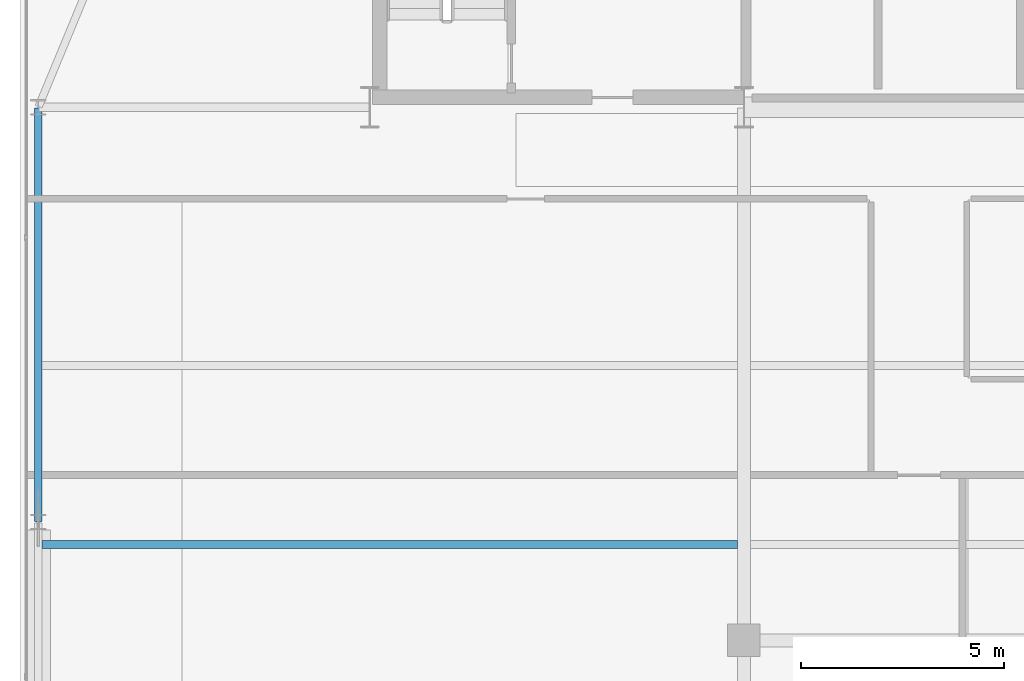
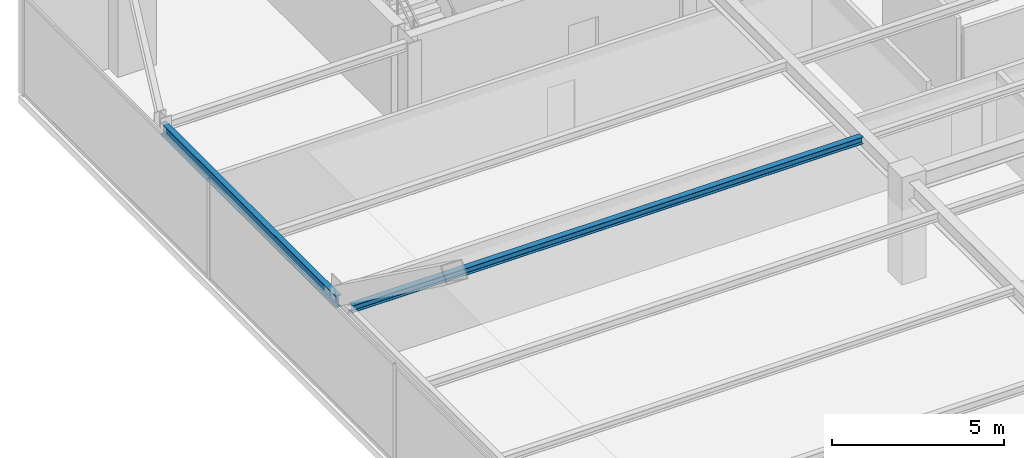
# One storey, part 11 of 32: 2 beams.
"""IFC4 building model written with IfcOpenShell, lengths in metres."""

import ifcopenshell
import ifcopenshell.guid

model = None  # the IFC model being written
_history = None  # IfcOwnerHistory: only IFC2X3 demands one
_inside = {}  # id of a spatial element -> (the spatial element, [elements in it])
_under = {}  # id of a project, library or spatial element -> (it, [spatial elements below it])
_declared = {}  # id of a project -> (the project, [libraries it declares])
_typed = {}  # id of a type object -> (the type object, [elements of that type])
_made_of = {}  # id of a material, layer set ... -> (it, [elements and type objects made of it])


def new_model(schema):
    """Start an empty IFC model of exactly this schema.

    Asked for "IFC4X3", IfcOpenShell would pick the latest addendum, in which some entities
    have other attributes; the version numbers below select the first issue.
    IFC2X3 requires an IfcOwnerHistory on every rooted entity: one is made here for all.
    """
    global model, _history
    if schema == "IFC4X3":
        model = ifcopenshell.file(schema_version=(4, 3, 0, 0))
    else:
        model = ifcopenshell.file(schema=schema)
    _inside.clear()
    _under.clear()
    _declared.clear()
    _typed.clear()
    _made_of.clear()
    _history = None
    if model.schema == "IFC2X3":
        org = make("IfcOrganization", Name="unknown")
        user = make(
            "IfcPersonAndOrganization",
            ThePerson=make("IfcPerson", FamilyName="unknown"),
            TheOrganization=org,
        )
        app = make(
            "IfcApplication",
            ApplicationDeveloper=org,
            Version="unknown",
            ApplicationFullName="unknown",
            ApplicationIdentifier="unknown",
        )
        _history = make(
            "IfcOwnerHistory",
            OwningUser=user,
            OwningApplication=app,
            ChangeAction="ADDED",
            CreationDate=0,
        )
    return model


def make(cls, **values):
    """One entity of the class cls with the attributes given. An attribute that is None is left unset."""
    return model.create_entity(
        cls, **{name: value for name, value in values.items() if value is not None}
    )


def rooted(cls, **values):
    """An entity with a GlobalId (a new one), such as an element, a storey or a relation."""
    return make(cls, GlobalId=ifcopenshell.guid.new(), OwnerHistory=_history, **values)


def si_unit(unit_type, name, prefix=None):
    """IfcSIUnit, for example si_unit("LENGTHUNIT", "METRE", prefix="MILLI")."""
    return make("IfcSIUnit", UnitType=unit_type, Prefix=prefix, Name=name)


def assignment(units):
    """IfcUnitAssignment: the units of a project."""
    return None if units is None else make("IfcUnitAssignment", Units=units)


def point(xyz):
    """IfcCartesianPoint."""
    return None if xyz is None else make("IfcCartesianPoint", Coordinates=xyz)


def direction(xyz):
    """IfcDirection."""
    return None if xyz is None else make("IfcDirection", DirectionRatios=xyz)


def frame(location, z_axis=None, x_axis=None):
    """IfcAxis2Placement3D, a coordinate frame: its origin and axes. An axis left out is left unset."""
    return make(
        "IfcAxis2Placement3D",
        Location=point(location),
        Axis=direction(z_axis),
        RefDirection=direction(x_axis),
    )


def frame_2d(location, x_axis=None):
    """IfcAxis2Placement2D, a coordinate frame in the plane: its origin and x axis."""
    return make(
        "IfcAxis2Placement2D", Location=point(location), RefDirection=direction(x_axis)
    )


def origin():
    """The frame at (0, 0, 0) with its axes left unset."""
    return frame((0.0, 0.0, 0.0))


def origin_2d():
    """The frame at (0, 0) in the plane with its x axis left unset."""
    return frame_2d((0.0, 0.0))


def place(relative_to, where):
    """IfcLocalPlacement: puts the frame where relative to a parent placement (None: the world)."""
    return make(
        "IfcLocalPlacement", PlacementRelTo=relative_to, RelativePlacement=where
    )


def context(
    kind, dimensions, precision=None, world=None, true_north=None, identifier=None
):
    """IfcGeometricRepresentationContext, for example the 3D "Model" context."""
    return make(
        "IfcGeometricRepresentationContext",
        ContextIdentifier=identifier,
        ContextType=kind,
        CoordinateSpaceDimension=dimensions,
        Precision=precision,
        WorldCoordinateSystem=world,
        TrueNorth=true_north,
    )


def subcontext(parent, identifier, kind, view, scale=None):
    """IfcGeometricRepresentationSubContext, for example "Body" below "Model"."""
    return make(
        "IfcGeometricRepresentationSubContext",
        ContextIdentifier=identifier,
        ContextType=kind,
        ParentContext=parent,
        TargetScale=scale,
        TargetView=view,
    )


def project(units=None, contexts=None):
    """IfcProject with its units and contexts."""
    return rooted(
        "IfcProject",
        Name="project",
        RepresentationContexts=contexts,
        UnitsInContext=assignment(units),
    )


def spatial(cls, under=None, at=None, **own):
    """A site, building, storey or space (cls), placed at a placement, below another one or the project."""
    s = rooted(cls, ObjectPlacement=at, **own)
    if under is not None:
        _under.setdefault(under.id(), (under, []))[1].append(s)
    return s


def profile(cls, at=None, kind="AREA", **sizes):
    """A parametric profile (cls). Its sizes go by their IFC names, for example OverallWidth=200.0."""
    return make(cls, ProfileType=kind, Position=at, **sizes)


def i_section(**sizes):
    """IfcIShapeProfileDef."""
    return profile("IfcIShapeProfileDef", **sizes)


def extrude(swept, where, along, depth):
    """IfcExtrudedAreaSolid: the profile swept, set in the frame where, extruded along a direction by depth."""
    return make(
        "IfcExtrudedAreaSolid",
        SweptArea=swept,
        Position=where,
        ExtrudedDirection=direction(along),
        Depth=depth,
    )


def shape(context_of_items, identifier, shape_type, items):
    """IfcShapeRepresentation: the items that make up one representation, for example the "Body"."""
    return make(
        "IfcShapeRepresentation",
        ContextOfItems=context_of_items,
        RepresentationIdentifier=identifier,
        RepresentationType=shape_type,
        Items=items,
    )


def source(mapping_origin, context_of_items, identifier, shape_type, items):
    """IfcRepresentationMap: a shape defined once, which mapped items show again and again."""
    return make(
        "IfcRepresentationMap",
        MappingOrigin=mapping_origin,
        MappedRepresentation=shape(context_of_items, identifier, shape_type, items),
    )


def transform(
    local_origin,
    x_axis=None,
    y_axis=None,
    z_axis=None,
    scale=None,
    scale2=None,
    scale3=None,
    uniform=True,
):
    """IfcCartesianTransformationOperator3D, or its non-uniform kind. x_axis, y_axis, z_axis: its Axis1, 2, 3."""
    if uniform:
        return make(
            "IfcCartesianTransformationOperator3D",
            Axis1=direction(x_axis),
            Axis2=direction(y_axis),
            LocalOrigin=point(local_origin),
            Scale=scale,
            Axis3=direction(z_axis),
        )
    return make(
        "IfcCartesianTransformationOperator3DnonUniform",
        Axis1=direction(x_axis),
        Axis2=direction(y_axis),
        LocalOrigin=point(local_origin),
        Scale=scale,
        Axis3=direction(z_axis),
        Scale2=scale2,
        Scale3=scale3,
    )


def mapped(mapping_source, mapping_target):
    """IfcMappedItem: shows the shape of a source again, moved by a transform."""
    return make(
        "IfcMappedItem", MappingSource=mapping_source, MappingTarget=mapping_target
    )


def material(Name=None, Category=None):
    """IfcMaterial."""
    return make("IfcMaterial", Name=Name, Category=Category)


def material_profile(
    of_material, cross_section, Name=None, Category=None, Priority=None
):
    """IfcMaterialProfile: a cross section and its material."""
    return make(
        "IfcMaterialProfile",
        Name=Name,
        Material=of_material,
        Profile=cross_section,
        Priority=Priority,
        Category=Category,
    )


def profile_set(profiles, Name=None, composite=None):
    """IfcMaterialProfileSet."""
    return make(
        "IfcMaterialProfileSet",
        Name=Name,
        MaterialProfiles=profiles,
        CompositeProfile=composite,
    )


def made_of(thing, what):
    """Note that an element or type object is made of a material, layer set ...; save() writes the relation."""
    if what is not None:
        _made_of.setdefault(what.id(), (what, []))[1].append(thing)
    return thing


def type_object(cls, material=None, **own):
    """A type object (cls), such as IfcWallType, which elements share."""
    return made_of(rooted(cls, **own), material)


def type_shapes(of_type, sources):
    """Give a type object the sources (RepresentationMaps) that its elements show as mapped items."""
    of_type.RepresentationMaps = sources


def element(
    cls,
    number,
    at=None,
    inside=None,
    cuts=None,
    type_object=None,
    material=None,
    context=None,
    identifier="Body",
    shape_type=None,
    held_by="IfcProductDefinitionShape",
    body=None,
    shapes=None,
    **own,
):
    """One element of the class cls, such as IfcWall. Its Tag is "e" and its number.

    at: its placement. inside: the storey or other place that contains it. cuts: it is an
    opening in that element (IfcRelVoidsElement). A single representation is given by context,
    identifier, shape_type and body (its items); several are given by shapes. held_by: the class
    of the entity that holds the representations. save() writes the other relations.
    """
    e = rooted(cls, Tag="e%d" % number, ObjectPlacement=at, **own)
    if body is not None:
        shapes = [shape(context, identifier, shape_type, body)]
    if shapes is not None:
        e.Representation = make(held_by, Representations=shapes)
    if inside is not None:
        _inside.setdefault(inside.id(), (inside, []))[1].append(e)
    if cuts is not None:
        rooted(
            "IfcRelVoidsElement", RelatingBuildingElement=cuts, RelatedOpeningElement=e
        )
    if type_object is not None:
        _typed.setdefault(type_object.id(), (type_object, []))[1].append(e)
    return made_of(e, material)


def aggregate(whole, parts):
    """IfcRelAggregates: a whole, such as a stair, and the parts it consists of."""
    return rooted("IfcRelAggregates", RelatingObject=whole, RelatedObjects=parts)


def save(model, path):
    """Write the relations noted so far, then the file.

    IfcRelAggregates (storeys below a building ...), IfcRelContainedInSpatialStructure (elements
    in a storey), IfcRelDefinesByType, IfcRelAssociatesMaterial and IfcRelDeclares: one each for
    every whole, place, type object, material and project.
    """
    for whole, parts in _under.values():
        aggregate(whole, parts)
    for where, things in _inside.values():
        rooted(
            "IfcRelContainedInSpatialStructure",
            RelatedElements=things,
            RelatingStructure=where,
        )
    for kind, things in _typed.values():
        rooted("IfcRelDefinesByType", RelatedObjects=things, RelatingType=kind)
    for what, things in _made_of.values():
        rooted("IfcRelAssociatesMaterial", RelatedObjects=things, RelatingMaterial=what)
    for by, libraries in _declared.values():
        rooted("IfcRelDeclares", RelatingContext=by, RelatedDefinitions=libraries)
    model.write(path)


model = new_model("IFC4")

# Units and contexts
model_context = context("Model", 3, precision=1e-05, world=origin(), true_north=direction((0.0, 1.0)))
body_context = subcontext(model_context, "Body", "Model", "MODEL_VIEW")
ifc_project = project(units=[si_unit("LENGTHUNIT", "METRE"), si_unit("AREAUNIT", "SQUARE_METRE"), si_unit("VOLUMEUNIT", "CUBIC_METRE"), si_unit("PLANEANGLEUNIT", "RADIAN"), si_unit("MASSUNIT", "GRAM", prefix="KILO")], contexts=[model_context])

# Site, building, storey
site_placement = place(None, origin())
site = spatial("IfcSite", under=ifc_project, at=site_placement, CompositionType="ELEMENT")
building_placement = place(site_placement, origin())
building = spatial("IfcBuilding", under=site, at=building_placement, Name="Varnel Quay Broadcast Tower", CompositionType="ELEMENT")
storey_placement = place(building_placement, frame((0.0, 0.0, 164.800048828125)))
storey = spatial("IfcBuildingStorey", under=building, at=storey_placement, Name="L40", CompositionType="ELEMENT", Elevation=164.800048828125)

# Beams
ifc_material = material(Name="Structural Steel CSA G40.21 350W", Category="steel")
ifc_material_profile_1 = material_profile(ifc_material, i_section(OverallWidth=0.180908203125, OverallDepth=0.4169921875, WebThickness=0.010986328125, FlangeThickness=0.018310546875, FilletRadius=0.011962890625, at=origin_2d()), Name="W410X85")
ifc_profile_set_1 = profile_set([ifc_material_profile_1], Name="Structural Steel CSA G40.21 350W")
beam_type_1 = type_object("IfcBeamType", Name="Beam_W410X85", PredefinedType="SPANDREL", material=ifc_profile_set_1)
shared_shape_1 = source(origin(), body_context, "Body", "SweptSolid", [
    extrude(i_section(OverallWidth=0.180908203125, OverallDepth=0.4169921875, WebThickness=0.010986328125, FlangeThickness=0.018310546875, FilletRadius=0.011962890625, at=origin_2d()), origin(), (0.0, 0.0, 1.0), 10.16015625),
])
type_shapes(beam_type_1, [shared_shape_1])
beam_1_placement = place(storey_placement, frame((7.449951171875, 25.419921875, 3.341552734375), z_axis=(0.0, 1.0, 0.0), x_axis=(-1.0, 0.0, 0.0)))
element("IfcBeam", 1, at=beam_1_placement, inside=storey, type_object=beam_type_1, Name="L40 West Spandrel TC-W2-TC-W3", PredefinedType="SPANDREL", context=body_context, shape_type="MappedRepresentation", body=[
    mapped(shared_shape_1, transform((0.0, 0.0, 0.0), x_axis=(1.0, 0.0, 0.0), y_axis=(0.0, 1.0, 0.0), z_axis=(0.0, 0.0, 1.0), scale=1.0)),
])
ifc_material_profile_2 = material_profile(ifc_material, i_section(OverallWidth=0.201904296875, OverallDepth=0.2470703125, WebThickness=0.00732421875, FlangeThickness=0.010986328125, FilletRadius=0.010986328125, at=origin_2d()), Name="W250X49")
ifc_profile_set_2 = profile_set([ifc_material_profile_2], Name="Structural Steel CSA G40.21 350W")
beam_type_2 = type_object("IfcBeamType", Name="Beam_W250X49", PredefinedType="JOIST", material=ifc_profile_set_2)
shared_shape_2 = source(origin(), body_context, "Body", "SweptSolid", [
    extrude(i_section(OverallWidth=0.201904296875, OverallDepth=0.2470703125, WebThickness=0.00732421875, FlangeThickness=0.010986328125, FilletRadius=0.010986328125, at=origin_2d()), origin(), (0.0, 0.0, 1.0), 17.107177734375),
])
type_shapes(beam_type_2, [shared_shape_2])
beam_2_placement = place(storey_placement, frame((7.535400390625, 24.85009765625, 3.426513671875), z_axis=(1.0, 0.0, 0.0), x_axis=(0.0, 1.0, 0.0)))
element("IfcBeam", 2, at=beam_2_placement, inside=storey, type_object=beam_type_2, Name="L40 West Floor Joist 4", PredefinedType="JOIST", context=body_context, shape_type="MappedRepresentation", body=[
    mapped(shared_shape_2, transform((0.0, 0.0, 0.0), x_axis=(1.0, 0.0, 0.0), y_axis=(0.0, 1.0, 0.0), z_axis=(0.0, 0.0, 1.0), scale=1.0)),
])

save(model, "model.ifc")
